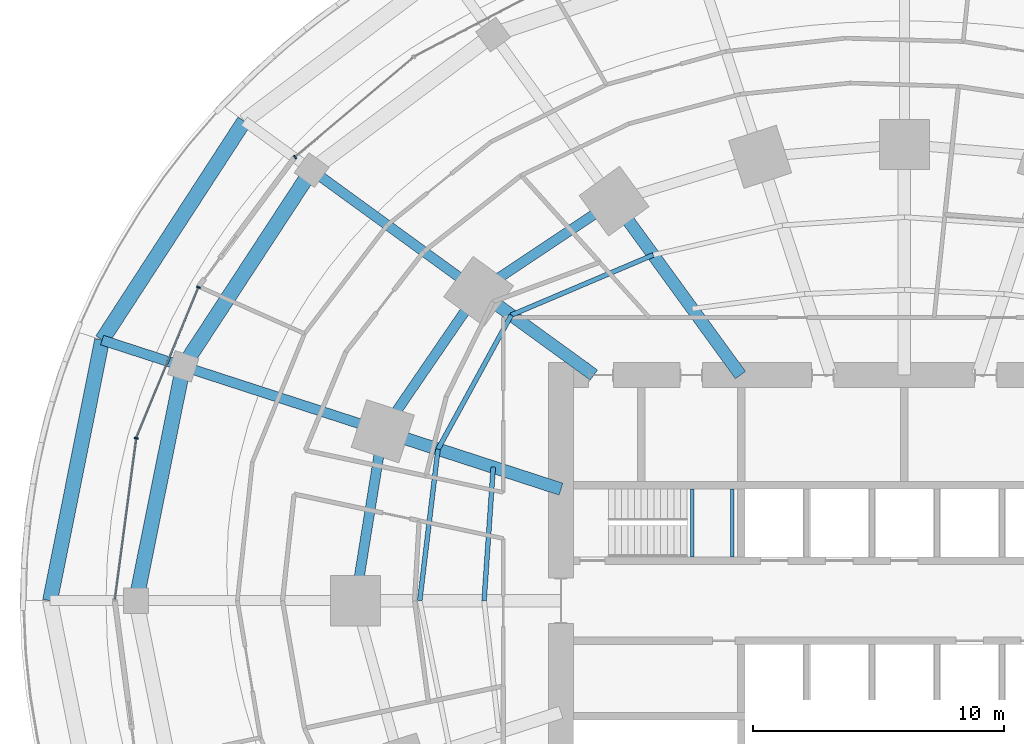
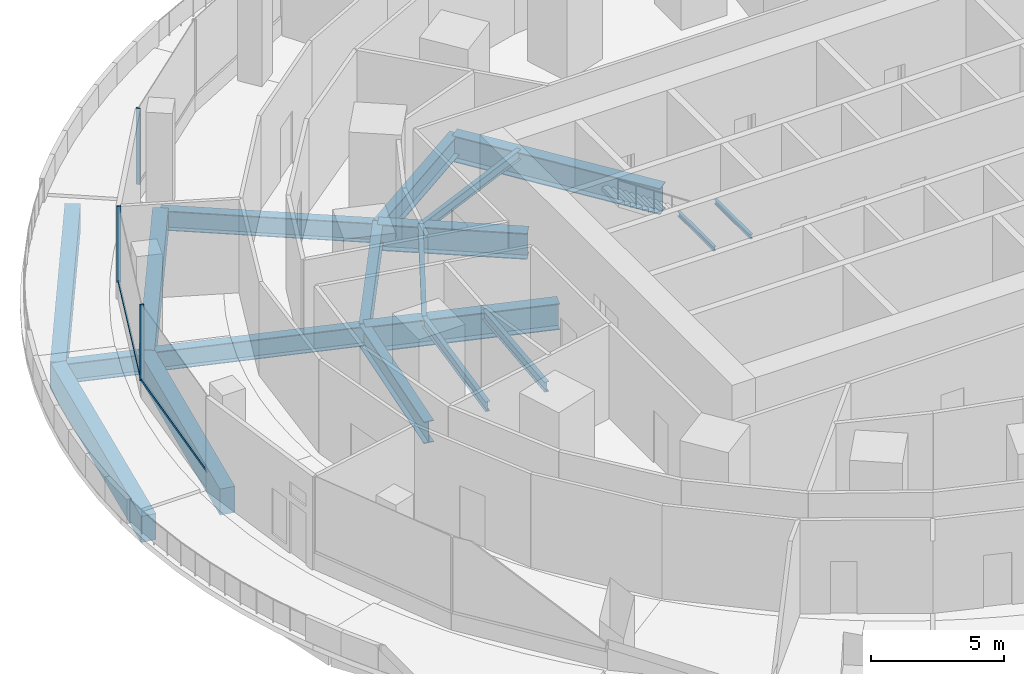
# One storey, part 8 of 26: 19 beams, 5 members, 2 elements without a shape of their own.
"""IFC4 building model written with IfcOpenShell, lengths in metres."""

import ifcopenshell
import ifcopenshell.guid

model = None  # the IFC model being written
_history = None  # IfcOwnerHistory: only IFC2X3 demands one
_inside = {}  # id of a spatial element -> (the spatial element, [elements in it])
_under = {}  # id of a project, library or spatial element -> (it, [spatial elements below it])
_declared = {}  # id of a project -> (the project, [libraries it declares])
_typed = {}  # id of a type object -> (the type object, [elements of that type])
_made_of = {}  # id of a material, layer set ... -> (it, [elements and type objects made of it])


def new_model(schema):
    """Start an empty IFC model of exactly this schema.

    Asked for "IFC4X3", IfcOpenShell would pick the latest addendum, in which some entities
    have other attributes; the version numbers below select the first issue.
    IFC2X3 requires an IfcOwnerHistory on every rooted entity: one is made here for all.
    """
    global model, _history
    if schema == "IFC4X3":
        model = ifcopenshell.file(schema_version=(4, 3, 0, 0))
    else:
        model = ifcopenshell.file(schema=schema)
    _inside.clear()
    _under.clear()
    _declared.clear()
    _typed.clear()
    _made_of.clear()
    _history = None
    if model.schema == "IFC2X3":
        org = make("IfcOrganization", Name="unknown")
        user = make(
            "IfcPersonAndOrganization",
            ThePerson=make("IfcPerson", FamilyName="unknown"),
            TheOrganization=org,
        )
        app = make(
            "IfcApplication",
            ApplicationDeveloper=org,
            Version="unknown",
            ApplicationFullName="unknown",
            ApplicationIdentifier="unknown",
        )
        _history = make(
            "IfcOwnerHistory",
            OwningUser=user,
            OwningApplication=app,
            ChangeAction="ADDED",
            CreationDate=0,
        )
    return model


def make(cls, **values):
    """One entity of the class cls with the attributes given. An attribute that is None is left unset."""
    return model.create_entity(
        cls, **{name: value for name, value in values.items() if value is not None}
    )


def rooted(cls, **values):
    """An entity with a GlobalId (a new one), such as an element, a storey or a relation."""
    return make(cls, GlobalId=ifcopenshell.guid.new(), OwnerHistory=_history, **values)


def si_unit(unit_type, name, prefix=None):
    """IfcSIUnit, for example si_unit("LENGTHUNIT", "METRE", prefix="MILLI")."""
    return make("IfcSIUnit", UnitType=unit_type, Prefix=prefix, Name=name)


def assignment(units):
    """IfcUnitAssignment: the units of a project."""
    return None if units is None else make("IfcUnitAssignment", Units=units)


def point(xyz):
    """IfcCartesianPoint."""
    return None if xyz is None else make("IfcCartesianPoint", Coordinates=xyz)


def direction(xyz):
    """IfcDirection."""
    return None if xyz is None else make("IfcDirection", DirectionRatios=xyz)


def frame(location, z_axis=None, x_axis=None):
    """IfcAxis2Placement3D, a coordinate frame: its origin and axes. An axis left out is left unset."""
    return make(
        "IfcAxis2Placement3D",
        Location=point(location),
        Axis=direction(z_axis),
        RefDirection=direction(x_axis),
    )


def frame_2d(location, x_axis=None):
    """IfcAxis2Placement2D, a coordinate frame in the plane: its origin and x axis."""
    return make(
        "IfcAxis2Placement2D", Location=point(location), RefDirection=direction(x_axis)
    )


def origin():
    """The frame at (0, 0, 0) with its axes left unset."""
    return frame((0.0, 0.0, 0.0))


def origin_2d():
    """The frame at (0, 0) in the plane with its x axis left unset."""
    return frame_2d((0.0, 0.0))


def place(relative_to, where):
    """IfcLocalPlacement: puts the frame where relative to a parent placement (None: the world)."""
    return make(
        "IfcLocalPlacement", PlacementRelTo=relative_to, RelativePlacement=where
    )


def context(
    kind, dimensions, precision=None, world=None, true_north=None, identifier=None
):
    """IfcGeometricRepresentationContext, for example the 3D "Model" context."""
    return make(
        "IfcGeometricRepresentationContext",
        ContextIdentifier=identifier,
        ContextType=kind,
        CoordinateSpaceDimension=dimensions,
        Precision=precision,
        WorldCoordinateSystem=world,
        TrueNorth=true_north,
    )


def subcontext(parent, identifier, kind, view, scale=None):
    """IfcGeometricRepresentationSubContext, for example "Body" below "Model"."""
    return make(
        "IfcGeometricRepresentationSubContext",
        ContextIdentifier=identifier,
        ContextType=kind,
        ParentContext=parent,
        TargetScale=scale,
        TargetView=view,
    )


def project(units=None, contexts=None):
    """IfcProject with its units and contexts."""
    return rooted(
        "IfcProject",
        Name="project",
        RepresentationContexts=contexts,
        UnitsInContext=assignment(units),
    )


def spatial(cls, under=None, at=None, **own):
    """A site, building, storey or space (cls), placed at a placement, below another one or the project."""
    s = rooted(cls, ObjectPlacement=at, **own)
    if under is not None:
        _under.setdefault(under.id(), (under, []))[1].append(s)
    return s


def profile(cls, at=None, kind="AREA", **sizes):
    """A parametric profile (cls). Its sizes go by their IFC names, for example OverallWidth=200.0."""
    return make(cls, ProfileType=kind, Position=at, **sizes)


def rectangle(**sizes):
    """IfcRectangleProfileDef."""
    return profile("IfcRectangleProfileDef", **sizes)


def i_section(**sizes):
    """IfcIShapeProfileDef."""
    return profile("IfcIShapeProfileDef", **sizes)


def extrude(swept, where, along, depth):
    """IfcExtrudedAreaSolid: the profile swept, set in the frame where, extruded along a direction by depth."""
    return make(
        "IfcExtrudedAreaSolid",
        SweptArea=swept,
        Position=where,
        ExtrudedDirection=direction(along),
        Depth=depth,
    )


def shape(context_of_items, identifier, shape_type, items):
    """IfcShapeRepresentation: the items that make up one representation, for example the "Body"."""
    return make(
        "IfcShapeRepresentation",
        ContextOfItems=context_of_items,
        RepresentationIdentifier=identifier,
        RepresentationType=shape_type,
        Items=items,
    )


def material(Name=None, Category=None):
    """IfcMaterial."""
    return make("IfcMaterial", Name=Name, Category=Category)


def material_profile(
    of_material, cross_section, Name=None, Category=None, Priority=None
):
    """IfcMaterialProfile: a cross section and its material."""
    return make(
        "IfcMaterialProfile",
        Name=Name,
        Material=of_material,
        Profile=cross_section,
        Priority=Priority,
        Category=Category,
    )


def profile_set(profiles, Name=None, composite=None):
    """IfcMaterialProfileSet."""
    return make(
        "IfcMaterialProfileSet",
        Name=Name,
        MaterialProfiles=profiles,
        CompositeProfile=composite,
    )


def made_of(thing, what):
    """Note that an element or type object is made of a material, layer set ...; save() writes the relation."""
    if what is not None:
        _made_of.setdefault(what.id(), (what, []))[1].append(thing)
    return thing


def type_object(cls, material=None, **own):
    """A type object (cls), such as IfcWallType, which elements share."""
    return made_of(rooted(cls, **own), material)


def element(
    cls,
    number,
    at=None,
    inside=None,
    cuts=None,
    type_object=None,
    material=None,
    context=None,
    identifier="Body",
    shape_type=None,
    held_by="IfcProductDefinitionShape",
    body=None,
    shapes=None,
    **own,
):
    """One element of the class cls, such as IfcWall. Its Tag is "e" and its number.

    at: its placement. inside: the storey or other place that contains it. cuts: it is an
    opening in that element (IfcRelVoidsElement). A single representation is given by context,
    identifier, shape_type and body (its items); several are given by shapes. held_by: the class
    of the entity that holds the representations. save() writes the other relations.
    """
    e = rooted(cls, Tag="e%d" % number, ObjectPlacement=at, **own)
    if body is not None:
        shapes = [shape(context, identifier, shape_type, body)]
    if shapes is not None:
        e.Representation = make(held_by, Representations=shapes)
    if inside is not None:
        _inside.setdefault(inside.id(), (inside, []))[1].append(e)
    if cuts is not None:
        rooted(
            "IfcRelVoidsElement", RelatingBuildingElement=cuts, RelatedOpeningElement=e
        )
    if type_object is not None:
        _typed.setdefault(type_object.id(), (type_object, []))[1].append(e)
    return made_of(e, material)


def aggregate(whole, parts):
    """IfcRelAggregates: a whole, such as a stair, and the parts it consists of."""
    return rooted("IfcRelAggregates", RelatingObject=whole, RelatedObjects=parts)


def save(model, path):
    """Write the relations noted so far, then the file.

    IfcRelAggregates (storeys below a building ...), IfcRelContainedInSpatialStructure (elements
    in a storey), IfcRelDefinesByType, IfcRelAssociatesMaterial and IfcRelDeclares: one each for
    every whole, place, type object, material and project.
    """
    for whole, parts in _under.values():
        aggregate(whole, parts)
    for where, things in _inside.values():
        rooted(
            "IfcRelContainedInSpatialStructure",
            RelatedElements=things,
            RelatingStructure=where,
        )
    for kind, things in _typed.values():
        rooted("IfcRelDefinesByType", RelatedObjects=things, RelatingType=kind)
    for what, things in _made_of.values():
        rooted("IfcRelAssociatesMaterial", RelatedObjects=things, RelatingMaterial=what)
    for by, libraries in _declared.values():
        rooted("IfcRelDeclares", RelatingContext=by, RelatedDefinitions=libraries)
    model.write(path)


model = new_model("IFC4")

# Units and contexts
model_context = context("Model", 3, precision=1e-05, world=origin(), true_north=direction((0.0, 1.0)))
body_context = subcontext(model_context, "Body", "Model", "MODEL_VIEW")
ifc_project = project(units=[si_unit("LENGTHUNIT", "METRE"), si_unit("AREAUNIT", "SQUARE_METRE"), si_unit("VOLUMEUNIT", "CUBIC_METRE"), si_unit("PLANEANGLEUNIT", "RADIAN"), si_unit("MASSUNIT", "GRAM", prefix="KILO")], contexts=[model_context])

# Site, building, storey
site_placement = place(None, origin())
site = spatial("IfcSite", under=ifc_project, at=site_placement, CompositionType="ELEMENT")
building_placement = place(site_placement, origin())
building = spatial("IfcBuilding", under=site, at=building_placement, Name="Marramba Exchange Tower", CompositionType="ELEMENT")
storey_placement = place(building_placement, frame((0.0, 0.0, 15.10009765625)))
storey = spatial("IfcBuildingStorey", under=building, at=storey_placement, Name="L03", CompositionType="ELEMENT", Elevation=15.10009765625)

# Beams
ifc_material_1 = material(Name="Concrete N50", Category="concrete")
ifc_material_profile_1 = material_profile(ifc_material_1, rectangle(XDim=0.60009765625, YDim=1.199951171875, at=origin_2d()), Name="RC 600x1200")
ifc_profile_set_1 = profile_set([ifc_material_profile_1], Name="Concrete N50")
beam_type_1 = type_object("IfcBeamType", Name="Edge beam RC 600x1200 N50", PredefinedType="SPANDREL", material=ifc_profile_set_1)
beam_1_placement = place(storey_placement, frame((-26.33203125, 19.13134765625, -0.85009765625), z_axis=(-0.544797972412, -0.838567331379, 0.0), x_axis=(0.838567331379, -0.544797972412, 0.0)))
element("IfcBeam", 1, at=beam_1_placement, inside=storey, type_object=beam_type_1, Name="Edge beam L03 P2C09", PredefinedType="SPANDREL", context=body_context, shape_type="SweptSolid", body=[
    extrude(rectangle(XDim=0.60009765625, YDim=1.199951171875, at=origin_2d()), origin(), (0.0, 0.0, 1.0), 10.413330078125),
])
beam_2_placement = place(storey_placement, frame((-32.005126953125, 10.399169921875, -0.85009765625), z_axis=(-0.195673363142, -0.980669126136, 0.0), x_axis=(0.980669126136, -0.195673363142, 0.0)))
element("IfcBeam", 2, at=beam_2_placement, inside=storey, type_object=beam_type_1, Name="Edge beam L03 P2C10", PredefinedType="SPANDREL", context=body_context, shape_type="SweptSolid", body=[
    extrude(rectangle(XDim=0.60009765625, YDim=1.199951171875, at=origin_2d()), origin(), (0.0, 0.0, 1.0), 10.604248046875),
])
beam_3_placement = place(storey_placement, frame((-23.644775390625, 17.178955078125, -0.800048828125), z_axis=(-0.547649213564, -0.836708036822, 0.0), x_axis=(0.836708036822, -0.547649213564, 0.0)))
element("IfcBeam", 3, at=beam_3_placement, inside=storey, type_object=beam_type_1, Name="Edge beam L03 P3C09", PredefinedType="SPANDREL", context=body_context, shape_type="SweptSolid", body=[
    extrude(rectangle(XDim=0.60009765625, YDim=1.199951171875, at=origin_2d()), origin(), (0.0, 0.0, 1.0), 9.359130859375),
])
beam_4_placement = place(storey_placement, frame((-28.770263671875, 9.34814453125, -0.800048828125), z_axis=(-0.197125420847, -0.980378278246, 0.0), x_axis=(0.980378278246, -0.197125420847, 0.0)))
element("IfcBeam", 4, at=beam_4_placement, inside=storey, type_object=beam_type_1, Name="Edge beam L03 P3C10", PredefinedType="SPANDREL", context=body_context, shape_type="SweptSolid", body=[
    extrude(rectangle(XDim=0.60009765625, YDim=1.199951171875, at=origin_2d()), origin(), (0.0, 0.0, 1.0), 9.53515625),
])
ifc_material_2 = material(Name="Steel AS/NZS 3679.1 grade 300", Category="steel")
ifc_material_profile_2 = material_profile(ifc_material_2, i_section(OverallWidth=0.18994140625, OverallDepth=0.4541015625, WebThickness=0.008544921875, FlangeThickness=0.0126953125, FilletRadius=0.011474609375, at=origin_2d()), Name="460UB67.1")
ifc_profile_set_2 = profile_set([ifc_material_profile_2], Name="Steel AS/NZS 3679.1 grade 300")
beam_type_2 = type_object("IfcBeamType", Name="Floor joist 460UB67.1", PredefinedType="JOIST", material=ifc_profile_set_2)
beam_5_placement = place(storey_placement, frame((-10.021728515625, 13.793701171875, -0.427001953125), z_axis=(-0.920674336375, -0.390331610738, 0.0), x_axis=(0.390331610738, -0.920674336375, 0.0)))
element("IfcBeam", 5, at=beam_5_placement, inside=storey, type_object=beam_type_2, Name="Joist L03 bay 08 row 2", PredefinedType="JOIST", context=body_context, shape_type="SweptSolid", body=[
    extrude(i_section(OverallWidth=0.18994140625, OverallDepth=0.4541015625, WebThickness=0.008544921875, FlangeThickness=0.0126953125, FilletRadius=0.011474609375, at=origin_2d()), origin(), (0.0, 0.0, 1.0), 6.1484375),
])
beam_6_placement = place(storey_placement, frame((-15.682373046875, 11.393798828125, -0.427001953125), z_axis=(-0.479584443791, -0.877495732909, 0.0), x_axis=(0.877495732909, -0.479584443791, 0.0)))
element("IfcBeam", 6, at=beam_6_placement, inside=storey, type_object=beam_type_2, Name="Joist L03 bay 09 row 2", PredefinedType="JOIST", context=body_context, shape_type="SweptSolid", body=[
    extrude(i_section(OverallWidth=0.18994140625, OverallDepth=0.4541015625, WebThickness=0.008544921875, FlangeThickness=0.0126953125, FilletRadius=0.011474609375, at=origin_2d()), origin(), (0.0, 0.0, 1.0), 6.094970703125),
])
beam_7_placement = place(storey_placement, frame((-16.40283203125, 5.32958984375, -0.427001953125), z_axis=(-0.068096259546, -0.99767875563, 0.0), x_axis=(0.99767875563, -0.068096259546, 0.0)))
element("IfcBeam", 7, at=beam_7_placement, inside=storey, type_object=beam_type_2, Name="Joist L03 bay 10 row 1", PredefinedType="JOIST", context=body_context, shape_type="SweptSolid", body=[
    extrude(i_section(OverallWidth=0.18994140625, OverallDepth=0.4541015625, WebThickness=0.008544921875, FlangeThickness=0.0126953125, FilletRadius=0.011474609375, at=origin_2d()), origin(), (0.0, 0.0, 1.0), 5.342041015625),
])
beam_8_placement = place(storey_placement, frame((-18.60546875, 6.04541015625, -0.427001953125), z_axis=(-0.119523078538, -0.992831422597, 0.0), x_axis=(0.992831422597, -0.119523078538, 0.0)))
element("IfcBeam", 8, at=beam_8_placement, inside=storey, type_object=beam_type_2, Name="Joist L03 bay 10 row 2", PredefinedType="JOIST", context=body_context, shape_type="SweptSolid", body=[
    extrude(i_section(OverallWidth=0.18994140625, OverallDepth=0.4541015625, WebThickness=0.008544921875, FlangeThickness=0.0126953125, FilletRadius=0.011474609375, at=origin_2d()), origin(), (0.0, 0.0, 1.0), 6.089111328125),
])

# Curtain wall, member
ifc_material_3 = material(Name="Aluminium framing, bronze anodised", Category="aluminium")
curtain_wall_type = type_object("IfcCurtainWallType", Name="Podium ribbon curtain wall", PredefinedType="USERDEFINED", material=ifc_material_3)
curtain_wall_1_placement = place(storey_placement, origin())
curtain_wall_1 = element("IfcCurtainWall", 9, at=curtain_wall_1_placement, inside=storey, type_object=curtain_wall_type, Name="Curtain wall CW2 L03 F11-F12", ObjectType="RIBBON CURTAIN WALL", PredefinedType="USERDEFINED")
ifc_material_4 = material(Name="Aluminium mullion, bronze anodised", Category="aluminium")
ifc_material_profile_3 = material_profile(ifc_material_4, rectangle(XDim=0.159912109375, YDim=0.06005859375, at=origin_2d()), Name="CW2 mullion 60x160")
ifc_profile_set_3 = profile_set([ifc_material_profile_3], Name="Aluminium mullion, bronze anodised")
member_type_1 = type_object("IfcMemberType", Name="Podium ribbon curtain wall mullion", PredefinedType="MULLION", material=ifc_profile_set_3)
member_1_placement = place(storey_placement, frame((-24.309326171875, 17.69775390625, 0.7998046875), z_axis=(0.0, 0.0, 1.0), x_axis=(0.644390072041, -0.764696956352, 0.0)))
member_1 = element("IfcMember", 10, at=member_1_placement, type_object=member_type_1, Name="CW2 mullion 2", PredefinedType="MULLION", context=body_context, shape_type="SweptSolid", body=[
    extrude(rectangle(XDim=0.159912109375, YDim=0.06005859375, at=origin_2d()), origin(), (0.0, 0.0, 1.0), 3.5),
])
aggregate(curtain_wall_1, [member_1])

# Curtain wall, members
curtain_wall_2_placement = place(storey_placement, origin())
curtain_wall_2 = element("IfcCurtainWall", 11, at=curtain_wall_2_placement, inside=storey, type_object=curtain_wall_type, Name="Curtain wall CW2 L03 F14-F15", ObjectType="RIBBON CURTAIN WALL", PredefinedType="USERDEFINED")
member_2_placement = place(storey_placement, frame((-28.16015625, 12.5048828125, 0.7998046875), z_axis=(0.0, 0.0, 1.0), x_axis=(0.924362869624, -0.381514462714, 0.0)))
member_2 = element("IfcMember", 12, at=member_2_placement, type_object=member_type_1, Name="CW2 mullion 1", PredefinedType="MULLION", context=body_context, shape_type="SweptSolid", body=[
    extrude(rectangle(XDim=0.159912109375, YDim=0.06005859375, at=origin_2d()), origin(), (0.0, 0.0, 1.0), 3.5),
])
member_3_placement = place(storey_placement, frame((-30.637939453125, 6.481689453125, 0.7998046875), z_axis=(0.0, 0.0, 1.0), x_axis=(0.991271077089, -0.131839492292, 0.0)))
member_3 = element("IfcMember", 13, at=member_3_placement, type_object=member_type_1, Name="CW2 mullion 1", PredefinedType="MULLION", context=body_context, shape_type="SweptSolid", body=[
    extrude(rectangle(XDim=0.159912109375, YDim=0.06005859375, at=origin_2d()), origin(), (0.0, 0.0, 1.0), 3.5),
])
ifc_material_5 = material(Name="Aluminium transom, bronze anodised", Category="aluminium")
ifc_material_profile_4 = material_profile(ifc_material_5, rectangle(XDim=0.06005859375, YDim=0.1201171875, at=origin_2d()), Name="CW2 transom 60x120")
ifc_profile_set_4 = profile_set([ifc_material_profile_4], Name="Aluminium transom, bronze anodised")
member_type_2 = type_object("IfcMemberType", Name="Podium ribbon curtain wall transom", PredefinedType="USERDEFINED", material=ifc_profile_set_4)
member_4_placement = place(storey_placement, frame((-28.171630859375, 12.477294921875, 0.829833984375), z_axis=(-0.381529725256, -0.924356570132, 0.0), x_axis=(0.924356570132, -0.381529725256, 0.0)))
member_4 = element("IfcMember", 14, at=member_4_placement, type_object=member_type_2, Name="CW2 sill transom", ObjectType="TRANSOM", PredefinedType="USERDEFINED", context=body_context, shape_type="SweptSolid", body=[
    extrude(rectangle(XDim=0.06005859375, YDim=0.1201171875, at=origin_2d()), origin(), (0.0, 0.0, 1.0), 6.4541015625),
])
member_5_placement = place(storey_placement, frame((-30.641845703125, 6.451904296875, 0.829833984375), z_axis=(-0.131863650813, -0.991267863695, 0.0), x_axis=(0.991267863695, -0.131863650813, 0.0)))
member_5 = element("IfcMember", 15, at=member_5_placement, type_object=member_type_2, Name="CW2 sill transom", ObjectType="TRANSOM", PredefinedType="USERDEFINED", context=body_context, shape_type="SweptSolid", body=[
    extrude(rectangle(XDim=0.06005859375, YDim=0.1201171875, at=origin_2d()), origin(), (0.0, 0.0, 1.0), 6.44873046875),
])
aggregate(curtain_wall_2, [member_2, member_4, member_3, member_5])

# Beams
ifc_material_6 = material(Name="Steel AS/NZS 3679.2 grade 300", Category="steel")
ifc_material_profile_5 = material_profile(ifc_material_6, i_section(OverallWidth=0.5, OverallDepth=1.199951171875, WebThickness=0.01611328125, FlangeThickness=0.0400390625, at=origin_2d()), Name="1200WB455")
ifc_profile_set_5 = profile_set([ifc_material_profile_5], Name="Steel AS/NZS 3679.2 grade 300")
beam_type_3 = type_object("IfcBeamType", Name="Radial girder 1200WB455", PredefinedType="BEAM", material=ifc_profile_set_5)
beam_9_placement = place(storey_placement, frame((-6.538818359375, 9.0, -0.800048828125), z_axis=(-0.587782439969, 0.80901903764, 0.0), x_axis=(-0.80901903764, -0.587782439969, 0.0)))
element("IfcBeam", 16, at=beam_9_placement, inside=storey, type_object=beam_type_3, Name="Radial girder L03 TC08", PredefinedType="BEAM", context=body_context, shape_type="SweptSolid", body=[
    extrude(i_section(OverallWidth=0.5, OverallDepth=1.199951171875, WebThickness=0.01611328125, FlangeThickness=0.0400390625, at=origin_2d()), origin(), (0.0, 0.0, 1.0), 8.578857421875),
])
beam_10_placement = place(storey_placement, frame((-12.387451171875, 9.0, -0.800048828125), z_axis=(-0.809025746925, 0.587773205252, 0.0), x_axis=(-0.587773205252, -0.809025746925, 0.0)))
element("IfcBeam", 17, at=beam_10_placement, inside=storey, type_object=beam_type_3, Name="Radial girder L03 TC09", PredefinedType="BEAM", context=body_context, shape_type="SweptSolid", body=[
    extrude(i_section(OverallWidth=0.5, OverallDepth=1.199951171875, WebThickness=0.01611328125, FlangeThickness=0.0400390625, at=origin_2d()), origin(), (0.0, 0.0, 1.0), 5.683837890625),
])
beam_11_placement = place(storey_placement, frame((-13.699951171875, 4.451416015625, -0.800048828125), z_axis=(-0.951059990189, 0.309006302624, 0.0), x_axis=(-0.309006302624, -0.951059990189, 0.0)))
element("IfcBeam", 18, at=beam_11_placement, inside=storey, type_object=beam_type_3, Name="Radial girder L03 TC10", PredefinedType="BEAM", context=body_context, shape_type="SweptSolid", body=[
    extrude(i_section(OverallWidth=0.5, OverallDepth=1.199951171875, WebThickness=0.01611328125, FlangeThickness=0.0400390625, at=origin_2d()), origin(), (0.0, 0.0, 1.0), 7.47412109375),
])
ifc_material_profile_6 = material_profile(ifc_material_6, i_section(OverallWidth=0.39990234375, OverallDepth=0.89990234375, WebThickness=0.01611328125, FlangeThickness=0.031982421875, at=origin_2d()), Name="900WB282")
ifc_profile_set_6 = profile_set([ifc_material_profile_6], Name="Steel AS/NZS 3679.2 grade 300")
beam_type_4 = type_object("IfcBeamType", Name="Radial girder 900WB282", PredefinedType="BEAM", material=ifc_profile_set_6)
beam_12_placement = place(storey_placement, frame((-32.005126953125, 10.399169921875, -0.7001953125), z_axis=(0.951060439376, -0.309004920114, 0.0), x_axis=(0.309004920114, 0.951060439376, 0.0)))
element("IfcBeam", 19, at=beam_12_placement, inside=storey, type_object=beam_type_4, Name="Radial girder L03 P2C10", PredefinedType="BEAM", context=body_context, shape_type="SweptSolid", body=[
    extrude(i_section(OverallWidth=0.39990234375, OverallDepth=0.89990234375, WebThickness=0.01611328125, FlangeThickness=0.031982421875, at=origin_2d()), origin(), (0.0, 0.0, 1.0), 3.4013671875),
])
beam_13_placement = place(storey_placement, frame((-23.644775390625, 17.178955078125, -0.650146484375), z_axis=(0.80900920075, -0.587795979148, 0.0), x_axis=(0.587795979148, 0.80900920075, 0.0)))
element("IfcBeam", 20, at=beam_13_placement, inside=storey, type_object=beam_type_4, Name="Radial girder L03 P3C09", PredefinedType="BEAM", context=body_context, shape_type="SweptSolid", body=[
    extrude(i_section(OverallWidth=0.39990234375, OverallDepth=0.89990234375, WebThickness=0.01611328125, FlangeThickness=0.031982421875, at=origin_2d()), origin(), (0.0, 0.0, 1.0), 8.23095703125),
])
beam_14_placement = place(storey_placement, frame((-28.770263671875, 9.34814453125, -0.650146484375), z_axis=(0.951050354939, -0.309035956436, 0.0), x_axis=(0.309035956436, 0.951050354939, 0.0)))
element("IfcBeam", 21, at=beam_14_placement, inside=storey, type_object=beam_type_4, Name="Radial girder L03 P3C10", PredefinedType="BEAM", context=body_context, shape_type="SweptSolid", body=[
    extrude(i_section(OverallWidth=0.39990234375, OverallDepth=0.89990234375, WebThickness=0.01611328125, FlangeThickness=0.031982421875, at=origin_2d()), origin(), (0.0, 0.0, 1.0), 8.371826171875),
])
ifc_material_profile_7 = material_profile(ifc_material_6, i_section(OverallWidth=0.39990234375, OverallDepth=1.0, WebThickness=0.01611328125, FlangeThickness=0.031982421875, at=origin_2d()), Name="1000WB322")
ifc_profile_set_7 = profile_set([ifc_material_profile_7], Name="Steel AS/NZS 3679.2 grade 300")
beam_type_5 = type_object("IfcBeamType", Name="Ring beam 1000WB322", PredefinedType="SPANDREL", material=ifc_profile_set_7)
beam_15_placement = place(storey_placement, frame((-11.581298828125, 15.9404296875, -0.7001953125), z_axis=(-0.832293151443, -0.554335737673, 0.0), x_axis=(0.554335737673, -0.832293151443, 0.0)))
element("IfcBeam", 22, at=beam_15_placement, inside=storey, type_object=beam_type_5, Name="Ring beam L03 TC08-TC09", PredefinedType="SPANDREL", context=body_context, shape_type="SweptSolid", body=[
    extrude(i_section(OverallWidth=0.39990234375, OverallDepth=1.0, WebThickness=0.01611328125, FlangeThickness=0.031982421875, at=origin_2d()), origin(), (0.0, 0.0, 1.0), 6.49365234375),
])
beam_16_placement = place(storey_placement, frame((-16.98583984375, 12.3408203125, -0.7001953125), z_axis=(-0.56516002054, -0.824981303535, 0.0), x_axis=(0.824981303535, -0.56516002054, 0.0)))
element("IfcBeam", 23, at=beam_16_placement, inside=storey, type_object=beam_type_5, Name="Ring beam L03 TC09-TC10", PredefinedType="SPANDREL", context=body_context, shape_type="SweptSolid", body=[
    extrude(i_section(OverallWidth=0.39990234375, OverallDepth=1.0, WebThickness=0.01611328125, FlangeThickness=0.031982421875, at=origin_2d()), origin(), (0.0, 0.0, 1.0), 6.763671875),
])
beam_17_placement = place(storey_placement, frame((-20.808349609375, 6.760986328125, -0.7001953125), z_axis=(-0.159384865399, -0.987216523708, 0.0), x_axis=(0.987216523708, -0.159384865399, 0.0)))
element("IfcBeam", 24, at=beam_17_placement, inside=storey, type_object=beam_type_5, Name="Ring beam L03 TC10-TC11", PredefinedType="SPANDREL", context=body_context, shape_type="SweptSolid", body=[
    extrude(i_section(OverallWidth=0.39990234375, OverallDepth=1.0, WebThickness=0.01611328125, FlangeThickness=0.031982421875, at=origin_2d()), origin(), (0.0, 0.0, 1.0), 6.8486328125),
])
ifc_material_profile_8 = material_profile(ifc_material_2, i_section(OverallWidth=0.133056640625, OverallDepth=0.202880859375, WebThickness=0.005859375, FlangeThickness=0.0078125, FilletRadius=0.0087890625, at=origin_2d()), Name="200UB25.4")
ifc_profile_set_8 = profile_set([ifc_material_profile_8], Name="Steel AS/NZS 3679.1 grade 300")
beam_type_6 = type_object("IfcBeamType", Name="Stair landing beam 200UB25.4", PredefinedType="BEAM", material=ifc_profile_set_8)
for number, where, z_axis, x_axis, name in (
    (25, (-8.46337890625, 1.75, 1.948486328125), (0.0, 1.0, 0.0), (-1.0, 0.0, 0.0), "Stair landing beam SLB1 ST1 L03 1"),
    (26, (-6.866455078125, 1.75, 1.948486328125), (0.0, 1.0, 0.0), (-1.0, 0.0, 0.0), "Stair landing beam SLB1 ST1 L03 2"),
):
    element("IfcBeam", number, at=place(storey_placement, frame(where, z_axis=z_axis, x_axis=x_axis)), inside=storey, type_object=beam_type_6, Name=name, PredefinedType="BEAM", context=body_context, shape_type="SweptSolid", body=[
        extrude(i_section(OverallWidth=0.133056640625, OverallDepth=0.202880859375, WebThickness=0.005859375, FlangeThickness=0.0078125, FilletRadius=0.0087890625, at=origin_2d()), origin(), (0.0, 0.0, 1.0), 2.699951171875),
    ])

save(model, "model.ifc")
